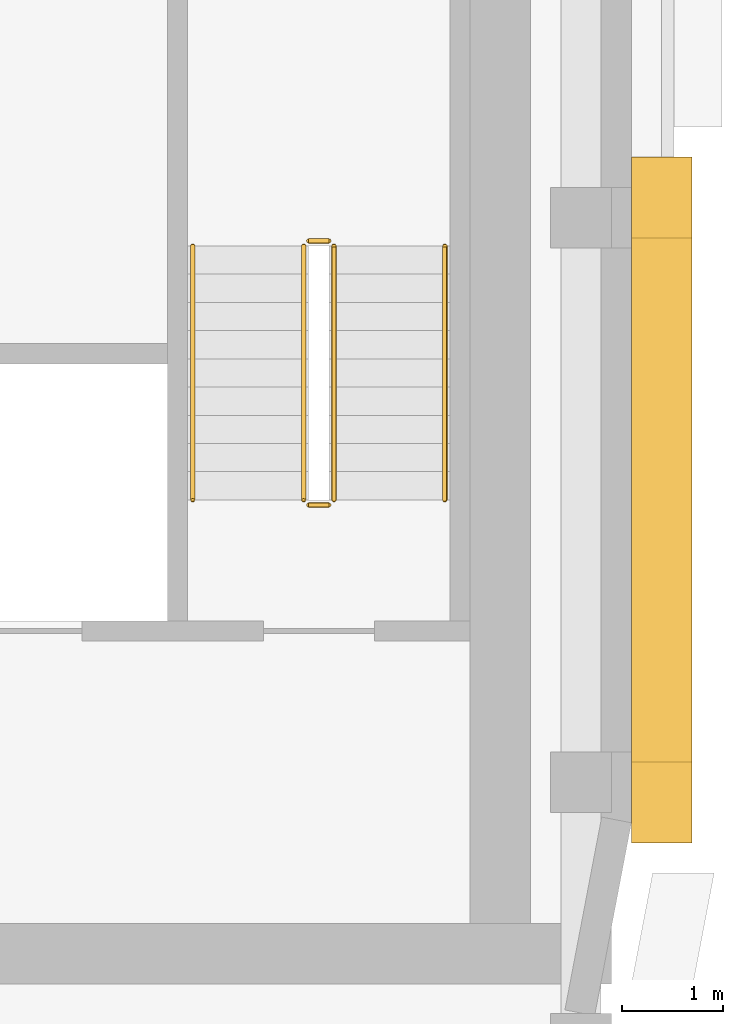
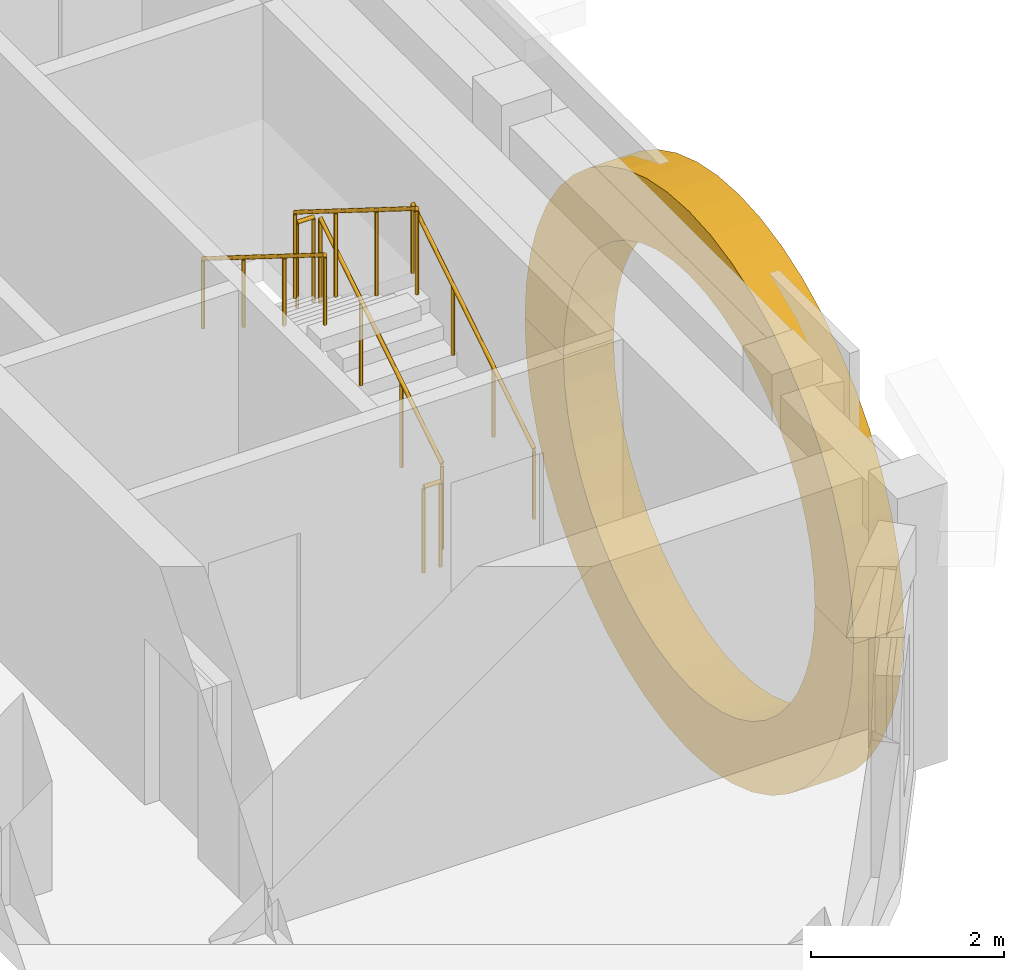
# One storey, part 9 of 12: 6 railings, 2 coverings.
"""IFC4 building model written with IfcOpenShell, lengths in metres."""

from ifc_helpers import new_model, si_unit, direction, frame, origin, origin_2d, place, context, subcontext, project, spatial, polyline, circle, outline, extrude, material, type_object, element, save


model = new_model("IFC4")

# Units and contexts
model_context = context("Model", 3, precision=1e-05, world=origin(), true_north=direction((0.0, 1.0)))
body_context = subcontext(model_context, "Body", "Model", "MODEL_VIEW")
ifc_project = project(units=[si_unit("LENGTHUNIT", "METRE"), si_unit("AREAUNIT", "SQUARE_METRE"), si_unit("VOLUMEUNIT", "CUBIC_METRE"), si_unit("PLANEANGLEUNIT", "RADIAN"), si_unit("MASSUNIT", "GRAM", prefix="KILO")], contexts=[model_context])

# Site, building, storey
site_placement = place(None, origin())
site = spatial("IfcSite", under=ifc_project, at=site_placement, CompositionType="ELEMENT")
building_placement = place(site_placement, origin())
building = spatial("IfcBuilding", under=site, at=building_placement, Name="Kiln Ring Residences", CompositionType="ELEMENT")
storey_placement = place(building_placement, frame((0.0, 0.0, 306.89990234375)))
storey = spatial("IfcBuildingStorey", under=building, at=storey_placement, Name="L79 Crown", CompositionType="ELEMENT", Elevation=306.89990234375)

# Railings
ifc_material_1 = material(Name="Stainless steel", Category="steel")
railing_type_1 = type_object("IfcRailingType", Name="CORE-STAIR-GUARD", PredefinedType="GUARDRAIL", material=ifc_material_1)
railing_1_placement = place(storey_placement, frame((22.25, -8.39990234375, 0.175048828125)))
element("IfcRailing", 1, at=railing_1_placement, inside=storey, type_object=railing_type_1, Name="L79 Crown E-STS stair guard 1", PredefinedType="GUARDRAIL", context=body_context, shape_type="SweptSolid", body=[
    extrude(circle(Radius=0.02392578125, at=origin_2d()), frame((0.0, 0.0, 1.076171875), z_axis=(0.0, 0.848007534815, 0.529984170421), x_axis=(-1.0, 0.0, 0.0)), (0.0, 0.0, 1.0), 2.9716796875),
    extrude(circle(Radius=0.02099609375, at=origin_2d()), origin(), (0.0, 0.0, 1.0), 1.052001953125),
    extrude(circle(Radius=0.02099609375, at=origin_2d()), frame((0.0, 0.840087890625, 0.52490234375)), (0.0, 0.0, 1.0), 1.052001953125),
    extrude(circle(Radius=0.02099609375, at=origin_2d()), frame((0.0, 1.679931640625, 1.050048828125)), (0.0, 0.0, 1.0), 1.052001953125),
    extrude(circle(Radius=0.02099609375, at=origin_2d()), frame((0.0, 2.52001953125, 1.574951171875)), (0.0, 0.0, 1.0), 1.052001953125),
])
railing_2_placement = place(storey_placement, frame((22.199951171875, -5.830078125, 1.75)))
element("IfcRailing", 2, at=railing_2_placement, inside=storey, type_object=railing_type_1, Name="L79 Crown E-STS stair guard 2", PredefinedType="GUARDRAIL", context=body_context, shape_type="SweptSolid", body=[
    extrude(circle(Radius=0.02392578125, at=origin_2d()), frame((0.0, 0.0, 1.076171875), z_axis=(-1.0, 0.0, 0.0), x_axis=(0.0, -1.0, 0.0)), (0.0, 0.0, 1.0), 0.199951171875),
    extrude(circle(Radius=0.02099609375, at=origin_2d()), origin(), (0.0, 0.0, 1.0), 1.052001953125),
    extrude(circle(Radius=0.02099609375, at=origin_2d()), frame((-0.199951171875, 0.0, 0.0)), (0.0, 0.0, 1.0), 1.052001953125),
])
railing_3_placement = place(storey_placement, frame((21.949951171875, -5.8798828125, 1.925048828125)))
element("IfcRailing", 3, at=railing_3_placement, inside=storey, type_object=railing_type_1, Name="L79 Crown E-STS stair guard 3", PredefinedType="GUARDRAIL", context=body_context, shape_type="SweptSolid", body=[
    extrude(circle(Radius=0.02392578125, at=origin_2d()), frame((0.0, 0.0, 1.076171875), z_axis=(0.0, -0.848007534815, 0.529984170421), x_axis=(1.0, 0.0, 0.0)), (0.0, 0.0, 1.0), 2.9716796875),
    extrude(circle(Radius=0.02099609375, at=origin_2d()), origin(), (0.0, 0.0, 1.0), 1.052001953125),
    extrude(circle(Radius=0.02099609375, at=origin_2d()), frame((0.0, -0.840087890625, 0.52490234375)), (0.0, 0.0, 1.0), 1.052001953125),
    extrude(circle(Radius=0.02099609375, at=origin_2d()), frame((0.0, -1.679931640625, 1.050048828125)), (0.0, 0.0, 1.0), 1.052001953125),
    extrude(circle(Radius=0.02099609375, at=origin_2d()), frame((0.0, -2.52001953125, 1.574951171875)), (0.0, 0.0, 1.0), 1.052001953125),
])
railing_4_placement = place(storey_placement, frame((22.199951171875, -8.449951171875, 0.0)))
element("IfcRailing", 4, at=railing_4_placement, inside=storey, type_object=railing_type_1, Name="L79 Crown E-STS stair guard 4", PredefinedType="GUARDRAIL", context=body_context, shape_type="SweptSolid", body=[
    extrude(circle(Radius=0.02392578125, at=origin_2d()), frame((0.0, 0.0, 1.076171875), z_axis=(-1.0, 0.0, 0.0), x_axis=(0.0, -1.0, 0.0)), (0.0, 0.0, 1.0), 0.199951171875),
    extrude(circle(Radius=0.02099609375, at=origin_2d()), origin(), (0.0, 0.0, 1.0), 1.052001953125),
    extrude(circle(Radius=0.02099609375, at=origin_2d()), frame((-0.199951171875, 0.0, 0.0)), (0.0, 0.0, 1.0), 1.052001953125),
])
ifc_material_2 = material(Name="Stainless steel", Category="steel")
railing_type_2 = type_object("IfcRailingType", Name="CORE-STAIR-HANDRAIL", PredefinedType="HANDRAIL", material=ifc_material_2)
railing_5_placement = place(storey_placement, frame((23.35009765625, -8.39990234375, 0.175048828125)))
element("IfcRailing", 5, at=railing_5_placement, inside=storey, type_object=railing_type_2, Name="L79 Crown E-STS stair handrail 1", PredefinedType="HANDRAIL", context=body_context, shape_type="SweptSolid", body=[
    extrude(circle(Radius=0.02392578125, at=origin_2d()), frame((0.0, 0.0, 0.8759765625), z_axis=(0.0, 0.848007534815, 0.529984170421), x_axis=(-1.0, 0.0, 0.0)), (0.0, 0.0, 1.0), 2.9716796875),
    extrude(circle(Radius=0.02099609375, at=origin_2d()), origin(), (0.0, 0.0, 1.0), 0.851806640625),
    extrude(circle(Radius=0.02099609375, at=origin_2d()), frame((0.0, 0.840087890625, 0.52490234375)), (0.0, 0.0, 1.0), 0.851806640625),
    extrude(circle(Radius=0.02099609375, at=origin_2d()), frame((0.0, 1.679931640625, 1.050048828125)), (0.0, 0.0, 1.0), 0.851806640625),
    extrude(circle(Radius=0.02099609375, at=origin_2d()), frame((0.0, 2.52001953125, 1.574951171875)), (0.0, 0.0, 1.0), 0.851806640625),
])
railing_6_placement = place(storey_placement, frame((20.85009765625, -5.8798828125, 1.925048828125)))
element("IfcRailing", 6, at=railing_6_placement, inside=storey, type_object=railing_type_2, Name="L79 Crown E-STS stair handrail 2", PredefinedType="HANDRAIL", context=body_context, shape_type="SweptSolid", body=[
    extrude(circle(Radius=0.02392578125, at=origin_2d()), frame((0.0, 0.0, 0.8759765625), z_axis=(0.0, -0.848007534815, 0.529984170421), x_axis=(1.0, 0.0, 0.0)), (0.0, 0.0, 1.0), 2.9716796875),
    extrude(circle(Radius=0.02099609375, at=origin_2d()), origin(), (0.0, 0.0, 1.0), 0.851806640625),
    extrude(circle(Radius=0.02099609375, at=origin_2d()), frame((0.0, -0.840087890625, 0.52490234375)), (0.0, 0.0, 1.0), 0.851806640625),
    extrude(circle(Radius=0.02099609375, at=origin_2d()), frame((0.0, -1.679931640625, 1.050048828125)), (0.0, 0.0, 1.0), 0.851806640625),
    extrude(circle(Radius=0.02099609375, at=origin_2d()), frame((0.0, -2.52001953125, 1.574951171875)), (0.0, 0.0, 1.0), 0.851806640625),
])

# Coverings
ifc_material_3 = material(Name="Concrete C35/45, exposed aggregate finish", Category="concrete")
covering_type = type_object("IfcCoveringType", Name="ROUNDEL RING 600", PredefinedType="CLADDING", material=ifc_material_3)
covering_1_placement = place(storey_placement, frame((25.5, -5.0, 0.0), z_axis=(0.0, 0.0, 1.0), x_axis=(0.0, -1.0, 0.0)))
element("IfcCovering", 7, at=covering_1_placement, inside=storey, type_object=covering_type, Name="ROUNDEL RING L79 Crown", PredefinedType="CLADDING", context=body_context, shape_type="SweptSolid", body=[
    extrude(outline(polyline([(0.0, 0.0), (0.029052734375, 0.44384765625), (0.115966796875, 0.880126953125), (0.2587890625, 1.30126953125), (0.45556640625, 1.7001953125), (0.70263671875, 2.06982421875), (0.995849609375, 2.404296875), (1.330078125, 2.697509765625), (1.699951171875, 2.944580078125), (2.098876953125, 3.141357421875), (2.52001953125, 3.2841796875), (2.956298828125, 3.37109375), (3.39990234375, 3.400146484375), (3.84375, 3.37109375), (4.280029296875, 3.2841796875), (4.701171875, 3.141357421875), (5.10009765625, 2.944580078125), (5.4697265625, 2.697509765625), (5.80419921875, 2.404296875), (6.097412109375, 2.06982421875), (6.344482421875, 1.7001953125), (6.541259765625, 1.30126953125), (6.68408203125, 0.880126953125), (6.77099609375, 0.44384765625), (6.800048828125, 0.0), (6.0, 0.0), (5.977783203125, 0.339599609375), (5.911376953125, 0.673095703125), (5.802001953125, 0.9951171875), (5.651611328125, 1.300048828125), (5.462646484375, 1.5830078125), (5.238525390625, 1.838623046875), (4.98291015625, 2.062744140625), (4.699951171875, 2.251708984375), (4.39501953125, 2.402099609375), (4.072998046875, 2.511474609375), (3.739501953125, 2.577880859375), (3.39990234375, 2.60009765625), (3.060546875, 2.577880859375), (2.72705078125, 2.511474609375), (2.405029296875, 2.402099609375), (2.10009765625, 2.251708984375), (1.817138671875, 2.062744140625), (1.5615234375, 1.838623046875), (1.33740234375, 1.5830078125), (1.148193359375, 1.300048828125), (0.997802734375, 0.9951171875), (0.888671875, 0.673095703125), (0.822265625, 0.339599609375), (0.800048828125, 0.0), (0.0, 0.0)])), frame((0.0, 0.300048828125, 0.0), z_axis=(0.0, -1.0, 0.0), x_axis=(1.0, 0.0, 0.0)), (0.0, 0.0, 1.0), 0.60009765625),
])
covering_2_placement = place(storey_placement, frame((25.5, -5.0, -3.39990234375), z_axis=(0.0, 0.0, 1.0), x_axis=(0.0, -1.0, 0.0)))
element("IfcCovering", 8, at=covering_2_placement, inside=storey, type_object=covering_type, Name="ROUNDEL RING L79 Crown", PredefinedType="CLADDING", context=body_context, shape_type="SweptSolid", body=[
    extrude(outline(polyline([(6.800048828125, 3.39990234375), (6.77099609375, 2.956298828125), (6.68408203125, 2.52001953125), (6.541259765625, 2.098876953125), (6.344482421875, 1.699951171875), (6.097412109375, 1.330078125), (5.80419921875, 0.995849609375), (5.4697265625, 0.70263671875), (5.10009765625, 0.45556640625), (4.701171875, 0.2587890625), (4.280029296875, 0.115966796875), (3.84375, 0.029052734375), (3.39990234375, 0.0), (2.956298828125, 0.029052734375), (2.52001953125, 0.115966796875), (2.098876953125, 0.2587890625), (1.699951171875, 0.45556640625), (1.330078125, 0.70263671875), (0.995849609375, 0.995849609375), (0.70263671875, 1.330078125), (0.45556640625, 1.699951171875), (0.2587890625, 2.098876953125), (0.115966796875, 2.52001953125), (0.029052734375, 2.956298828125), (0.0, 3.39990234375), (0.800048828125, 3.39990234375), (0.822265625, 3.060546875), (0.888671875, 2.72705078125), (0.997802734375, 2.405029296875), (1.148193359375, 2.10009765625), (1.33740234375, 1.817138671875), (1.5615234375, 1.5615234375), (1.817138671875, 1.33740234375), (2.10009765625, 1.148193359375), (2.405029296875, 0.997802734375), (2.72705078125, 0.888671875), (3.060546875, 0.822265625), (3.39990234375, 0.800048828125), (3.739501953125, 0.822265625), (4.072998046875, 0.888671875), (4.39501953125, 0.997802734375), (4.699951171875, 1.148193359375), (4.98291015625, 1.33740234375), (5.238525390625, 1.5615234375), (5.462646484375, 1.817138671875), (5.651611328125, 2.10009765625), (5.802001953125, 2.405029296875), (5.911376953125, 2.72705078125), (5.977783203125, 3.060546875), (6.0, 3.39990234375), (6.800048828125, 3.39990234375)])), frame((0.0, 0.300048828125, 0.0), z_axis=(0.0, -1.0, 0.0), x_axis=(1.0, 0.0, 0.0)), (0.0, 0.0, 1.0), 0.60009765625),
])

save(model, "model.ifc")
